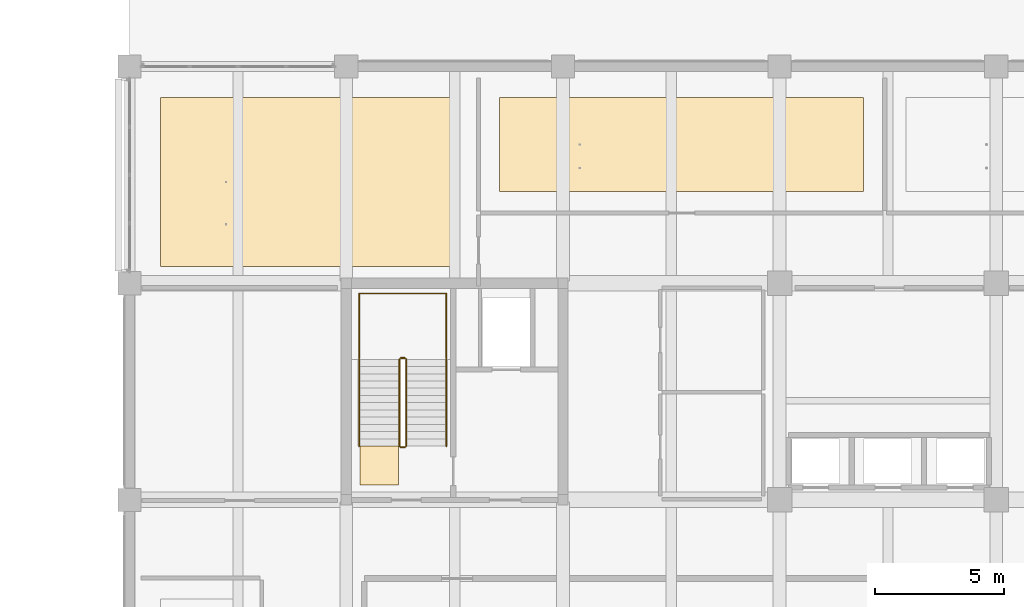
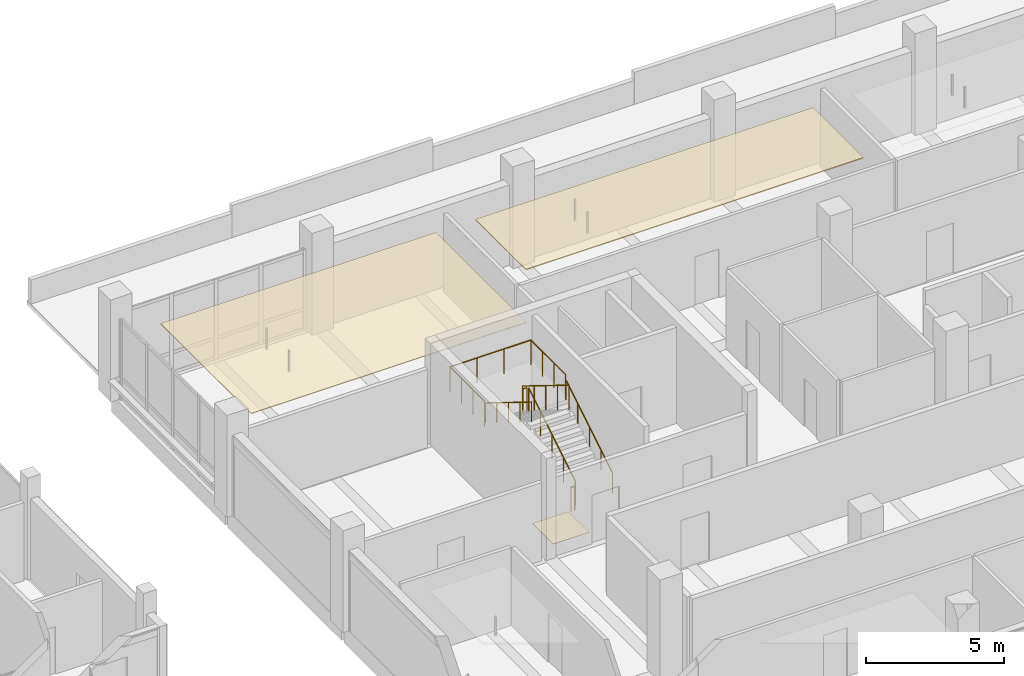
# One storey, part 45 of 59: 7 railings, 3 coverings.
"""IFC4 building model written with IfcOpenShell, lengths in metres."""

import ifcopenshell
import ifcopenshell.guid

model = None  # the IFC model being written
_history = None  # IfcOwnerHistory: only IFC2X3 demands one
_inside = {}  # id of a spatial element -> (the spatial element, [elements in it])
_under = {}  # id of a project, library or spatial element -> (it, [spatial elements below it])
_declared = {}  # id of a project -> (the project, [libraries it declares])
_typed = {}  # id of a type object -> (the type object, [elements of that type])
_made_of = {}  # id of a material, layer set ... -> (it, [elements and type objects made of it])


def new_model(schema):
    """Start an empty IFC model of exactly this schema.

    Asked for "IFC4X3", IfcOpenShell would pick the latest addendum, in which some entities
    have other attributes; the version numbers below select the first issue.
    IFC2X3 requires an IfcOwnerHistory on every rooted entity: one is made here for all.
    """
    global model, _history
    if schema == "IFC4X3":
        model = ifcopenshell.file(schema_version=(4, 3, 0, 0))
    else:
        model = ifcopenshell.file(schema=schema)
    _inside.clear()
    _under.clear()
    _declared.clear()
    _typed.clear()
    _made_of.clear()
    _history = None
    if model.schema == "IFC2X3":
        org = make("IfcOrganization", Name="unknown")
        user = make(
            "IfcPersonAndOrganization",
            ThePerson=make("IfcPerson", FamilyName="unknown"),
            TheOrganization=org,
        )
        app = make(
            "IfcApplication",
            ApplicationDeveloper=org,
            Version="unknown",
            ApplicationFullName="unknown",
            ApplicationIdentifier="unknown",
        )
        _history = make(
            "IfcOwnerHistory",
            OwningUser=user,
            OwningApplication=app,
            ChangeAction="ADDED",
            CreationDate=0,
        )
    return model


def make(cls, **values):
    """One entity of the class cls with the attributes given. An attribute that is None is left unset."""
    return model.create_entity(
        cls, **{name: value for name, value in values.items() if value is not None}
    )


def rooted(cls, **values):
    """An entity with a GlobalId (a new one), such as an element, a storey or a relation."""
    return make(cls, GlobalId=ifcopenshell.guid.new(), OwnerHistory=_history, **values)


def si_unit(unit_type, name, prefix=None):
    """IfcSIUnit, for example si_unit("LENGTHUNIT", "METRE", prefix="MILLI")."""
    return make("IfcSIUnit", UnitType=unit_type, Prefix=prefix, Name=name)


def assignment(units):
    """IfcUnitAssignment: the units of a project."""
    return None if units is None else make("IfcUnitAssignment", Units=units)


def point(xyz):
    """IfcCartesianPoint."""
    return None if xyz is None else make("IfcCartesianPoint", Coordinates=xyz)


def direction(xyz):
    """IfcDirection."""
    return None if xyz is None else make("IfcDirection", DirectionRatios=xyz)


def frame(location, z_axis=None, x_axis=None):
    """IfcAxis2Placement3D, a coordinate frame: its origin and axes. An axis left out is left unset."""
    return make(
        "IfcAxis2Placement3D",
        Location=point(location),
        Axis=direction(z_axis),
        RefDirection=direction(x_axis),
    )


def frame_2d(location, x_axis=None):
    """IfcAxis2Placement2D, a coordinate frame in the plane: its origin and x axis."""
    return make(
        "IfcAxis2Placement2D", Location=point(location), RefDirection=direction(x_axis)
    )


def origin():
    """The frame at (0, 0, 0) with its axes left unset."""
    return frame((0.0, 0.0, 0.0))


def origin_2d():
    """The frame at (0, 0) in the plane with its x axis left unset."""
    return frame_2d((0.0, 0.0))


def place(relative_to, where):
    """IfcLocalPlacement: puts the frame where relative to a parent placement (None: the world)."""
    return make(
        "IfcLocalPlacement", PlacementRelTo=relative_to, RelativePlacement=where
    )


def context(
    kind, dimensions, precision=None, world=None, true_north=None, identifier=None
):
    """IfcGeometricRepresentationContext, for example the 3D "Model" context."""
    return make(
        "IfcGeometricRepresentationContext",
        ContextIdentifier=identifier,
        ContextType=kind,
        CoordinateSpaceDimension=dimensions,
        Precision=precision,
        WorldCoordinateSystem=world,
        TrueNorth=true_north,
    )


def subcontext(parent, identifier, kind, view, scale=None):
    """IfcGeometricRepresentationSubContext, for example "Body" below "Model"."""
    return make(
        "IfcGeometricRepresentationSubContext",
        ContextIdentifier=identifier,
        ContextType=kind,
        ParentContext=parent,
        TargetScale=scale,
        TargetView=view,
    )


def project(units=None, contexts=None):
    """IfcProject with its units and contexts."""
    return rooted(
        "IfcProject",
        Name="project",
        RepresentationContexts=contexts,
        UnitsInContext=assignment(units),
    )


def spatial(cls, under=None, at=None, **own):
    """A site, building, storey or space (cls), placed at a placement, below another one or the project."""
    s = rooted(cls, ObjectPlacement=at, **own)
    if under is not None:
        _under.setdefault(under.id(), (under, []))[1].append(s)
    return s


def polyline(points):
    """IfcPolyline through the points."""
    return make("IfcPolyline", Points=[point(p) for p in points])


def profile(cls, at=None, kind="AREA", **sizes):
    """A parametric profile (cls). Its sizes go by their IFC names, for example OverallWidth=200.0."""
    return make(cls, ProfileType=kind, Position=at, **sizes)


def circle(**sizes):
    """IfcCircleProfileDef."""
    return profile("IfcCircleProfileDef", **sizes)


def outline(outer, holes=None, kind="AREA"):
    """IfcArbitraryClosedProfileDef: a profile drawn as a closed curve; with holes, ...WithVoids."""
    if holes is None:
        return make("IfcArbitraryClosedProfileDef", ProfileType=kind, OuterCurve=outer)
    return make(
        "IfcArbitraryProfileDefWithVoids",
        ProfileType=kind,
        OuterCurve=outer,
        InnerCurves=holes,
    )


def extrude(swept, where, along, depth):
    """IfcExtrudedAreaSolid: the profile swept, set in the frame where, extruded along a direction by depth."""
    return make(
        "IfcExtrudedAreaSolid",
        SweptArea=swept,
        Position=where,
        ExtrudedDirection=direction(along),
        Depth=depth,
    )


def shape(context_of_items, identifier, shape_type, items):
    """IfcShapeRepresentation: the items that make up one representation, for example the "Body"."""
    return make(
        "IfcShapeRepresentation",
        ContextOfItems=context_of_items,
        RepresentationIdentifier=identifier,
        RepresentationType=shape_type,
        Items=items,
    )


def material(Name=None, Category=None):
    """IfcMaterial."""
    return make("IfcMaterial", Name=Name, Category=Category)


def layer(
    of_material, thickness, ventilated=None, Name=None, Category=None, Priority=None
):
    """IfcMaterialLayer: one layer of a wall or slab, of a material (None: an air gap)."""
    return make(
        "IfcMaterialLayer",
        Material=of_material,
        LayerThickness=thickness,
        IsVentilated=ventilated,
        Name=Name,
        Category=Category,
        Priority=Priority,
    )


def layer_set(layers, Name=None):
    """IfcMaterialLayerSet."""
    return make("IfcMaterialLayerSet", MaterialLayers=layers, LayerSetName=Name)


def made_of(thing, what):
    """Note that an element or type object is made of a material, layer set ...; save() writes the relation."""
    if what is not None:
        _made_of.setdefault(what.id(), (what, []))[1].append(thing)
    return thing


def type_object(cls, material=None, **own):
    """A type object (cls), such as IfcWallType, which elements share."""
    return made_of(rooted(cls, **own), material)


def element(
    cls,
    number,
    at=None,
    inside=None,
    cuts=None,
    type_object=None,
    material=None,
    context=None,
    identifier="Body",
    shape_type=None,
    held_by="IfcProductDefinitionShape",
    body=None,
    shapes=None,
    **own,
):
    """One element of the class cls, such as IfcWall. Its Tag is "e" and its number.

    at: its placement. inside: the storey or other place that contains it. cuts: it is an
    opening in that element (IfcRelVoidsElement). A single representation is given by context,
    identifier, shape_type and body (its items); several are given by shapes. held_by: the class
    of the entity that holds the representations. save() writes the other relations.
    """
    e = rooted(cls, Tag="e%d" % number, ObjectPlacement=at, **own)
    if body is not None:
        shapes = [shape(context, identifier, shape_type, body)]
    if shapes is not None:
        e.Representation = make(held_by, Representations=shapes)
    if inside is not None:
        _inside.setdefault(inside.id(), (inside, []))[1].append(e)
    if cuts is not None:
        rooted(
            "IfcRelVoidsElement", RelatingBuildingElement=cuts, RelatedOpeningElement=e
        )
    if type_object is not None:
        _typed.setdefault(type_object.id(), (type_object, []))[1].append(e)
    return made_of(e, material)


def aggregate(whole, parts):
    """IfcRelAggregates: a whole, such as a stair, and the parts it consists of."""
    return rooted("IfcRelAggregates", RelatingObject=whole, RelatedObjects=parts)


def save(model, path):
    """Write the relations noted so far, then the file.

    IfcRelAggregates (storeys below a building ...), IfcRelContainedInSpatialStructure (elements
    in a storey), IfcRelDefinesByType, IfcRelAssociatesMaterial and IfcRelDeclares: one each for
    every whole, place, type object, material and project.
    """
    for whole, parts in _under.values():
        aggregate(whole, parts)
    for where, things in _inside.values():
        rooted(
            "IfcRelContainedInSpatialStructure",
            RelatedElements=things,
            RelatingStructure=where,
        )
    for kind, things in _typed.values():
        rooted("IfcRelDefinesByType", RelatedObjects=things, RelatingType=kind)
    for what, things in _made_of.values():
        rooted("IfcRelAssociatesMaterial", RelatedObjects=things, RelatingMaterial=what)
    for by, libraries in _declared.values():
        rooted("IfcRelDeclares", RelatingContext=by, RelatedDefinitions=libraries)
    model.write(path)


model = new_model("IFC4")

# Units and contexts
model_context = context("Model", 3, precision=1e-05, world=origin(), true_north=direction((0.0, 1.0)))
body_context = subcontext(model_context, "Body", "Model", "MODEL_VIEW")
ifc_project = project(units=[si_unit("LENGTHUNIT", "METRE"), si_unit("AREAUNIT", "SQUARE_METRE"), si_unit("VOLUMEUNIT", "CUBIC_METRE"), si_unit("PLANEANGLEUNIT", "RADIAN"), si_unit("MASSUNIT", "GRAM", prefix="KILO")], contexts=[model_context])

# Site, building, storey
site_placement = place(None, origin())
site = spatial("IfcSite", under=ifc_project, at=site_placement, CompositionType="ELEMENT")
building_placement = place(site_placement, origin())
building = spatial("IfcBuilding", under=site, at=building_placement, Name="Telukmera Botanical Conservatory", CompositionType="ELEMENT")
storey_placement = place(building_placement, frame((0.0, 0.0, 15.0)))
storey = spatial("IfcBuildingStorey", under=building, at=storey_placement, Name="L03", CompositionType="ELEMENT", Elevation=15.0)

# Coverings
ifc_material_1 = material(Name="Mineral fibre acoustic ceiling")
ifc_layer_1 = layer(ifc_material_1, 0.030029296875)
ifc_layer_set_1 = layer_set([ifc_layer_1], Name="Mineral fibre acoustic ceiling")
covering_type_1 = type_object("IfcCoveringType", Name="COV-CEIL-30", PredefinedType="CEILING", material=ifc_layer_set_1)
covering_1_placement = place(storey_placement, frame((0.0, 0.0, 3.320068359375)))
element("IfcCovering", 1, at=covering_1_placement, inside=storey, type_object=covering_type_1, Name="L03 Pteridophyte Curation Studio Suspended Acoustic Ceiling", PredefinedType="CEILING", context=body_context, shape_type="SweptSolid", body=[
    extrude(outline(polyline([(51.60009765625, 35.050048828125), (63.10009765625, 35.050048828125), (63.10009765625, 41.60009765625), (51.60009765625, 41.60009765625), (51.60009765625, 35.050048828125)])), origin(), (0.0, 0.0, 1.0), 0.030029296875),
])
ifc_material_2 = material(Name="Perforated gypsum acoustic ceiling")
ifc_layer_2 = layer(ifc_material_2, 0.0400390625)
ifc_layer_set_2 = layer_set([ifc_layer_2], Name="Perforated gypsum acoustic ceiling")
covering_type_2 = type_object("IfcCoveringType", Name="COV-CEIL-40", PredefinedType="CEILING", material=ifc_layer_set_2)
covering_2_placement = place(storey_placement, frame((0.0, 0.0, 3.31005859375)))
element("IfcCovering", 2, at=covering_2_placement, inside=storey, type_object=covering_type_2, Name="L03 Angiosperm Systematics Studio Suspended Acoustic Ceiling", PredefinedType="CEILING", context=body_context, shape_type="SweptSolid", body=[
    extrude(outline(polyline([(64.75, 37.949951171875), (78.85009765625, 37.949951171875), (78.85009765625, 41.60009765625), (64.75, 41.60009765625), (64.75, 37.949951171875)])), origin(), (0.0, 0.0, 1.0), 0.0400390625),
])
ifc_material_3 = material(Name="Honed granite non-slip flooring", Category="masonry")
ifc_layer_3 = layer(ifc_material_3, 0.011962890625)
ifc_layer_set_3 = layer_set([ifc_layer_3], Name="Honed granite non-slip flooring")
covering_type_3 = type_object("IfcCoveringType", Name="COV-FLR-12", PredefinedType="FLOORING", material=ifc_layer_set_3)
covering_3_placement = place(storey_placement, origin())
element("IfcCovering", 3, at=covering_3_placement, inside=storey, type_object=covering_type_3, Name="L03 ST1 Non-Slip Stair Landing Finish", PredefinedType="FLOORING", context=body_context, shape_type="SweptSolid", body=[
    extrude(outline(polyline([(60.830078125, 26.570068359375), (60.830078125, 28.0849609375), (59.330078125, 28.0849609375), (59.330078125, 26.570068359375), (60.830078125, 26.570068359375)])), origin(), (0.0, 0.0, 1.0), 0.011962890625),
])

# Railings
ifc_material_4 = material(Name="Steel S355", Category="steel")
railing_type_1 = type_object("IfcRailingType", Name="RL-GUARD-1100", PredefinedType="GUARDRAIL", material=ifc_material_4)
railing_1_placement = place(storey_placement, frame((61.1201171875, 28.090087890625, 0.173095703125)))
element("IfcRailing", 4, at=railing_1_placement, inside=storey, type_object=railing_type_1, Name="L03 ST1 stair guard 1", PredefinedType="GUARDRAIL", context=body_context, shape_type="SweptSolid", body=[
    extrude(circle(Radius=0.02392578125, at=origin_2d()), frame((0.0, 0.0, 1.076171875), z_axis=(0.0, 0.850606129759, 0.525803396734), x_axis=(-1.0, 0.0, 0.0)), (0.0, 0.0, 1.0), 3.949951171875),
    extrude(circle(Radius=0.02099609375, at=origin_2d()), origin(), (0.0, 0.0, 1.0), 1.052001953125),
    extrude(circle(Radius=0.02099609375, at=origin_2d()), frame((0.0, 0.83984375, 0.519287109375)), (0.0, 0.0, 1.0), 1.052001953125),
    extrude(circle(Radius=0.02099609375, at=origin_2d()), frame((0.0, 1.679931640625, 1.03857421875)), (0.0, 0.0, 1.0), 1.052001953125),
    extrude(circle(Radius=0.02099609375, at=origin_2d()), frame((0.0, 2.52001953125, 1.5576171875)), (0.0, 0.0, 1.0), 1.052001953125),
    extrude(circle(Radius=0.02099609375, at=origin_2d()), frame((0.0, 3.35986328125, 2.076904296875)), (0.0, 0.0, 1.0), 1.052001953125),
])
railing_2_placement = place(storey_placement, frame((61.070068359375, 31.5, 2.25)))
element("IfcRailing", 5, at=railing_2_placement, inside=storey, type_object=railing_type_1, Name="L03 ST1 stair guard 2", PredefinedType="GUARDRAIL", context=body_context, shape_type="SweptSolid", body=[
    extrude(circle(Radius=0.02392578125, at=origin_2d()), frame((0.0, 0.0, 1.076171875), z_axis=(-1.0, 0.0, 0.0), x_axis=(0.0, -1.0, 0.0)), (0.0, 0.0, 1.0), 0.16015625),
    extrude(circle(Radius=0.02099609375, at=origin_2d()), origin(), (0.0, 0.0, 1.0), 1.052001953125),
    extrude(circle(Radius=0.02099609375, at=origin_2d()), frame((-0.16015625, 0.0, 0.0)), (0.0, 0.0, 1.0), 1.052001953125),
])
railing_3_placement = place(storey_placement, frame((60.860107421875, 31.449951171875, 2.423095703125)))
element("IfcRailing", 6, at=railing_3_placement, inside=storey, type_object=railing_type_1, Name="L03 ST1 stair guard 3", PredefinedType="GUARDRAIL", context=body_context, shape_type="SweptSolid", body=[
    extrude(circle(Radius=0.02392578125, at=origin_2d()), frame((0.0, 0.0, 1.076171875), z_axis=(0.0, -0.850606129759, 0.525803396734), x_axis=(1.0, 0.0, 0.0)), (0.0, 0.0, 1.0), 3.949951171875),
    extrude(circle(Radius=0.02099609375, at=origin_2d()), origin(), (0.0, 0.0, 1.0), 1.052001953125),
    extrude(circle(Radius=0.02099609375, at=origin_2d()), frame((0.0, -0.83984375, 0.519287109375)), (0.0, 0.0, 1.0), 1.052001953125),
    extrude(circle(Radius=0.02099609375, at=origin_2d()), frame((0.0, -1.679931640625, 1.03857421875)), (0.0, 0.0, 1.0), 1.052001953125),
    extrude(circle(Radius=0.02099609375, at=origin_2d()), frame((0.0, -2.52001953125, 1.5576171875)), (0.0, 0.0, 1.0), 1.052001953125),
    extrude(circle(Radius=0.02099609375, at=origin_2d()), frame((0.0, -3.35986328125, 2.076904296875)), (0.0, 0.0, 1.0), 1.052001953125),
])
railing_4_placement = place(storey_placement, frame((61.070068359375, 28.0400390625, 0.0)))
element("IfcRailing", 7, at=railing_4_placement, inside=storey, type_object=railing_type_1, Name="L03 ST1 stair guard 4", PredefinedType="GUARDRAIL", context=body_context, shape_type="SweptSolid", body=[
    extrude(circle(Radius=0.02392578125, at=origin_2d()), frame((0.0, 0.0, 1.076171875), z_axis=(-1.0, 0.0, 0.0), x_axis=(0.0, -1.0, 0.0)), (0.0, 0.0, 1.0), 0.16015625),
    extrude(circle(Radius=0.02099609375, at=origin_2d()), origin(), (0.0, 0.0, 1.0), 1.052001953125),
    extrude(circle(Radius=0.02099609375, at=origin_2d()), frame((-0.16015625, 0.0, 0.0)), (0.0, 0.0, 1.0), 1.052001953125),
])
railing_5_placement = place(storey_placement, frame((62.679931640625, 31.5, 2.25)))
element("IfcRailing", 8, at=railing_5_placement, inside=storey, type_object=railing_type_1, Name="L03 ST1 half-landing perimeter guard 1", PredefinedType="GUARDRAIL", context=body_context, shape_type="SweptSolid", body=[
    extrude(circle(Radius=0.02392578125, at=origin_2d()), frame((0.0, 0.0, 1.09619140625), z_axis=(0.0, 1.0, 0.0), x_axis=(-1.0, 0.0, 0.0)), (0.0, 0.0, 1.0), 2.5),
    extrude(circle(Radius=0.02392578125, at=origin_2d()), frame((0.0, 2.5, 1.09619140625), z_axis=(-1.0, 0.0, 0.0), x_axis=(0.0, -1.0, 0.0)), (0.0, 0.0, 1.0), 3.3798828125),
    extrude(circle(Radius=0.02392578125, at=origin_2d()), frame((-3.3798828125, 2.5, 1.09619140625), z_axis=(0.0, -1.0, 0.0), x_axis=(1.0, 0.0, 0.0)), (0.0, 0.0, 1.0), 2.5),
    extrude(circle(Radius=0.02099609375, at=origin_2d()), origin(), (0.0, 0.0, 1.0), 1.072021484375),
    extrude(circle(Radius=0.02099609375, at=origin_2d()), frame((0.0, 0.833251953125, 0.0)), (0.0, 0.0, 1.0), 1.072021484375),
    extrude(circle(Radius=0.02099609375, at=origin_2d()), frame((0.0, 1.666748046875, 0.0)), (0.0, 0.0, 1.0), 1.072021484375),
    extrude(circle(Radius=0.02099609375, at=origin_2d()), frame((0.0, 2.5, 0.0)), (0.0, 0.0, 1.0), 1.072021484375),
    extrude(circle(Radius=0.02099609375, at=origin_2d()), frame((-1.126708984375, 2.5, 0.0)), (0.0, 0.0, 1.0), 1.072021484375),
    extrude(circle(Radius=0.02099609375, at=origin_2d()), frame((-2.253173828125, 2.5, 0.0)), (0.0, 0.0, 1.0), 1.072021484375),
    extrude(circle(Radius=0.02099609375, at=origin_2d()), frame((-3.3798828125, 2.5, 0.0)), (0.0, 0.0, 1.0), 1.072021484375),
    extrude(circle(Radius=0.02099609375, at=origin_2d()), frame((-3.3798828125, 1.666748046875, 0.0)), (0.0, 0.0, 1.0), 1.072021484375),
    extrude(circle(Radius=0.02099609375, at=origin_2d()), frame((-3.3798828125, 0.833251953125, 0.0)), (0.0, 0.0, 1.0), 1.072021484375),
    extrude(circle(Radius=0.02099609375, at=origin_2d()), frame((-3.3798828125, 0.0, 0.0)), (0.0, 0.0, 1.0), 1.072021484375),
])
ifc_material_5 = material(Name="Stainless steel 316", Category="steel")
railing_type_2 = type_object("IfcRailingType", Name="RL-HAND-900", PredefinedType="HANDRAIL", material=ifc_material_5)
railing_6_placement = place(storey_placement, frame((62.679931640625, 28.090087890625, 0.173095703125)))
element("IfcRailing", 9, at=railing_6_placement, inside=storey, type_object=railing_type_2, Name="L03 ST1 stair handrail 1", PredefinedType="HANDRAIL", context=body_context, shape_type="SweptSolid", body=[
    extrude(circle(Radius=0.02392578125, at=origin_2d()), frame((0.0, 0.0, 0.8759765625), z_axis=(0.0, 0.850606129759, 0.525803396734), x_axis=(-1.0, 0.0, 0.0)), (0.0, 0.0, 1.0), 3.949951171875),
    extrude(circle(Radius=0.02099609375, at=origin_2d()), origin(), (0.0, 0.0, 1.0), 0.851806640625),
    extrude(circle(Radius=0.02099609375, at=origin_2d()), frame((0.0, 0.83984375, 0.519287109375)), (0.0, 0.0, 1.0), 0.851806640625),
    extrude(circle(Radius=0.02099609375, at=origin_2d()), frame((0.0, 1.679931640625, 1.03857421875)), (0.0, 0.0, 1.0), 0.851806640625),
    extrude(circle(Radius=0.02099609375, at=origin_2d()), frame((0.0, 2.52001953125, 1.5576171875)), (0.0, 0.0, 1.0), 0.851806640625),
    extrude(circle(Radius=0.02099609375, at=origin_2d()), frame((0.0, 3.35986328125, 2.076904296875)), (0.0, 0.0, 1.0), 0.851806640625),
])
railing_7_placement = place(storey_placement, frame((59.300048828125, 31.449951171875, 2.423095703125)))
element("IfcRailing", 10, at=railing_7_placement, inside=storey, type_object=railing_type_2, Name="L03 ST1 stair handrail 2", PredefinedType="HANDRAIL", context=body_context, shape_type="SweptSolid", body=[
    extrude(circle(Radius=0.02392578125, at=origin_2d()), frame((0.0, 0.0, 0.8759765625), z_axis=(0.0, -0.850606129759, 0.525803396734), x_axis=(1.0, 0.0, 0.0)), (0.0, 0.0, 1.0), 3.949951171875),
    extrude(circle(Radius=0.02099609375, at=origin_2d()), origin(), (0.0, 0.0, 1.0), 0.851806640625),
    extrude(circle(Radius=0.02099609375, at=origin_2d()), frame((0.0, -0.83984375, 0.519287109375)), (0.0, 0.0, 1.0), 0.851806640625),
    extrude(circle(Radius=0.02099609375, at=origin_2d()), frame((0.0, -1.679931640625, 1.03857421875)), (0.0, 0.0, 1.0), 0.851806640625),
    extrude(circle(Radius=0.02099609375, at=origin_2d()), frame((0.0, -2.52001953125, 1.5576171875)), (0.0, 0.0, 1.0), 0.851806640625),
    extrude(circle(Radius=0.02099609375, at=origin_2d()), frame((0.0, -3.35986328125, 2.076904296875)), (0.0, 0.0, 1.0), 0.851806640625),
])

save(model, "model.ifc")
